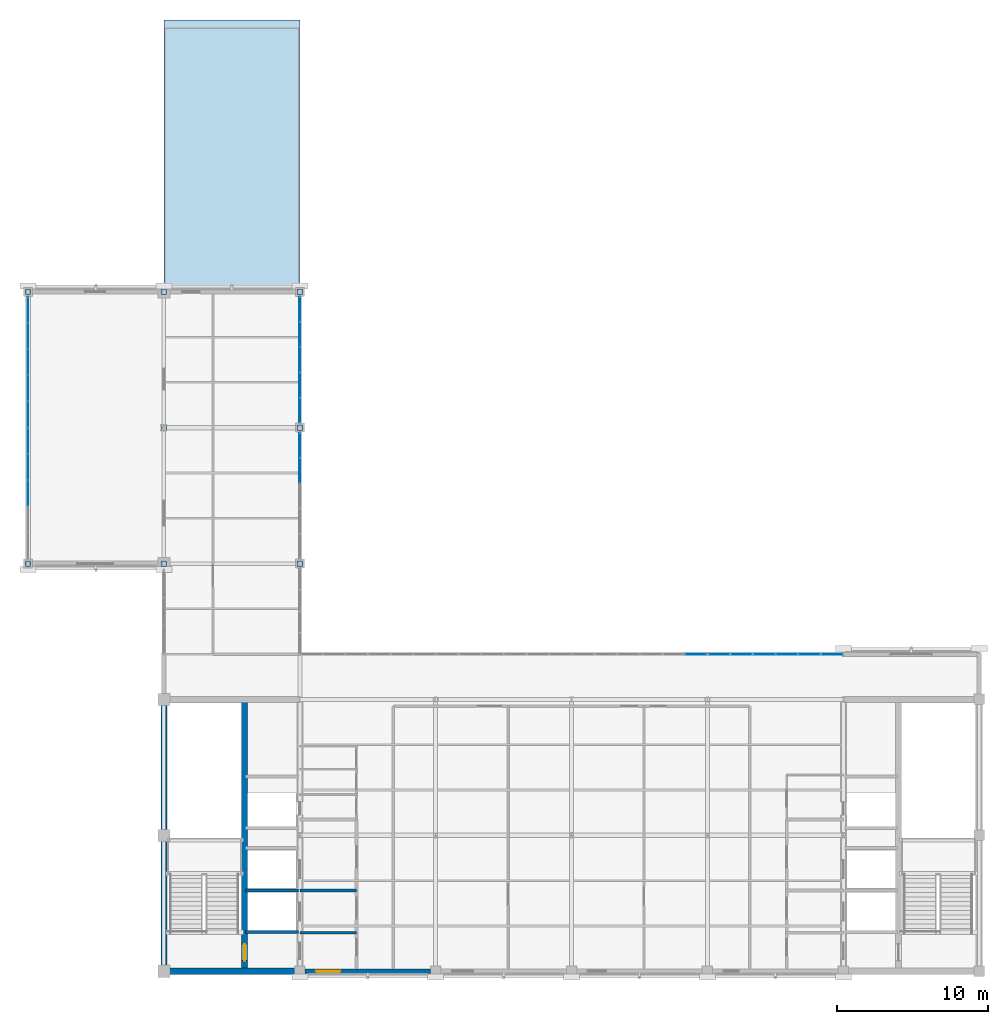
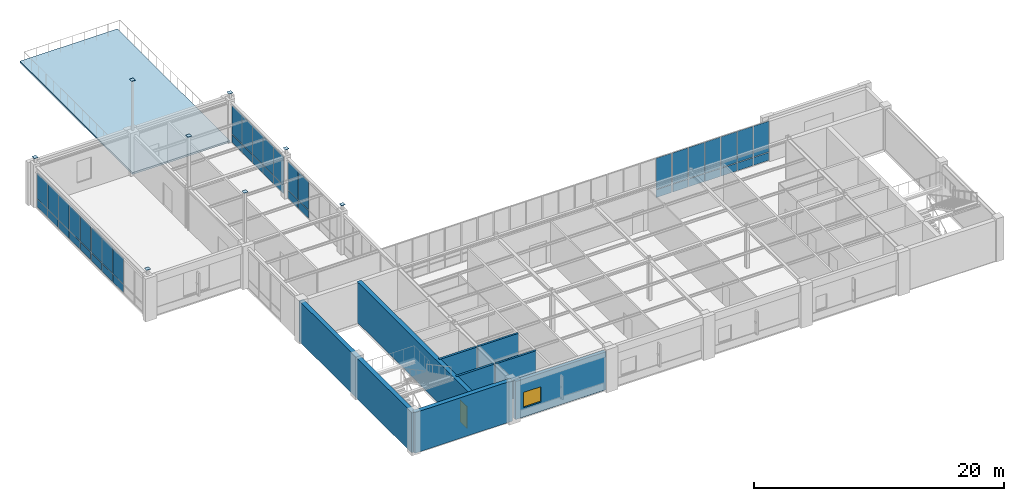
# One storey, part 29 of 36: 52 plates, 8 walls, 1 door, 1 slab, 1 window, 2 openings, 6 elements without a shape of their own.
"""IFC4 building model written with IfcOpenShell, lengths in metres."""

import ifcopenshell
import ifcopenshell.guid

model = None  # the IFC model being written
_history = None  # IfcOwnerHistory: only IFC2X3 demands one
_inside = {}  # id of a spatial element -> (the spatial element, [elements in it])
_under = {}  # id of a project, library or spatial element -> (it, [spatial elements below it])
_declared = {}  # id of a project -> (the project, [libraries it declares])
_typed = {}  # id of a type object -> (the type object, [elements of that type])
_made_of = {}  # id of a material, layer set ... -> (it, [elements and type objects made of it])


def new_model(schema):
    """Start an empty IFC model of exactly this schema.

    Asked for "IFC4X3", IfcOpenShell would pick the latest addendum, in which some entities
    have other attributes; the version numbers below select the first issue.
    IFC2X3 requires an IfcOwnerHistory on every rooted entity: one is made here for all.
    """
    global model, _history
    if schema == "IFC4X3":
        model = ifcopenshell.file(schema_version=(4, 3, 0, 0))
    else:
        model = ifcopenshell.file(schema=schema)
    _inside.clear()
    _under.clear()
    _declared.clear()
    _typed.clear()
    _made_of.clear()
    _history = None
    if model.schema == "IFC2X3":
        org = make("IfcOrganization", Name="unknown")
        user = make(
            "IfcPersonAndOrganization",
            ThePerson=make("IfcPerson", FamilyName="unknown"),
            TheOrganization=org,
        )
        app = make(
            "IfcApplication",
            ApplicationDeveloper=org,
            Version="unknown",
            ApplicationFullName="unknown",
            ApplicationIdentifier="unknown",
        )
        _history = make(
            "IfcOwnerHistory",
            OwningUser=user,
            OwningApplication=app,
            ChangeAction="ADDED",
            CreationDate=0,
        )
    return model


def make(cls, **values):
    """One entity of the class cls with the attributes given. An attribute that is None is left unset."""
    return model.create_entity(
        cls, **{name: value for name, value in values.items() if value is not None}
    )


def rooted(cls, **values):
    """An entity with a GlobalId (a new one), such as an element, a storey or a relation."""
    return make(cls, GlobalId=ifcopenshell.guid.new(), OwnerHistory=_history, **values)


def si_unit(unit_type, name, prefix=None):
    """IfcSIUnit, for example si_unit("LENGTHUNIT", "METRE", prefix="MILLI")."""
    return make("IfcSIUnit", UnitType=unit_type, Prefix=prefix, Name=name)


def assignment(units):
    """IfcUnitAssignment: the units of a project."""
    return None if units is None else make("IfcUnitAssignment", Units=units)


def point(xyz):
    """IfcCartesianPoint."""
    return None if xyz is None else make("IfcCartesianPoint", Coordinates=xyz)


def direction(xyz):
    """IfcDirection."""
    return None if xyz is None else make("IfcDirection", DirectionRatios=xyz)


def frame(location, z_axis=None, x_axis=None):
    """IfcAxis2Placement3D, a coordinate frame: its origin and axes. An axis left out is left unset."""
    return make(
        "IfcAxis2Placement3D",
        Location=point(location),
        Axis=direction(z_axis),
        RefDirection=direction(x_axis),
    )


def frame_2d(location, x_axis=None):
    """IfcAxis2Placement2D, a coordinate frame in the plane: its origin and x axis."""
    return make(
        "IfcAxis2Placement2D", Location=point(location), RefDirection=direction(x_axis)
    )


def origin():
    """The frame at (0, 0, 0) with its axes left unset."""
    return frame((0.0, 0.0, 0.0))


def origin_2d():
    """The frame at (0, 0) in the plane with its x axis left unset."""
    return frame_2d((0.0, 0.0))


def place(relative_to, where):
    """IfcLocalPlacement: puts the frame where relative to a parent placement (None: the world)."""
    return make(
        "IfcLocalPlacement", PlacementRelTo=relative_to, RelativePlacement=where
    )


def context(
    kind, dimensions, precision=None, world=None, true_north=None, identifier=None
):
    """IfcGeometricRepresentationContext, for example the 3D "Model" context."""
    return make(
        "IfcGeometricRepresentationContext",
        ContextIdentifier=identifier,
        ContextType=kind,
        CoordinateSpaceDimension=dimensions,
        Precision=precision,
        WorldCoordinateSystem=world,
        TrueNorth=true_north,
    )


def subcontext(parent, identifier, kind, view, scale=None):
    """IfcGeometricRepresentationSubContext, for example "Body" below "Model"."""
    return make(
        "IfcGeometricRepresentationSubContext",
        ContextIdentifier=identifier,
        ContextType=kind,
        ParentContext=parent,
        TargetScale=scale,
        TargetView=view,
    )


def project(units=None, contexts=None):
    """IfcProject with its units and contexts."""
    return rooted(
        "IfcProject",
        Name="project",
        RepresentationContexts=contexts,
        UnitsInContext=assignment(units),
    )


def spatial(cls, under=None, at=None, **own):
    """A site, building, storey or space (cls), placed at a placement, below another one or the project."""
    s = rooted(cls, ObjectPlacement=at, **own)
    if under is not None:
        _under.setdefault(under.id(), (under, []))[1].append(s)
    return s


def polyline(points):
    """IfcPolyline through the points."""
    return make("IfcPolyline", Points=[point(p) for p in points])


def profile(cls, at=None, kind="AREA", **sizes):
    """A parametric profile (cls). Its sizes go by their IFC names, for example OverallWidth=200.0."""
    return make(cls, ProfileType=kind, Position=at, **sizes)


def rectangle(**sizes):
    """IfcRectangleProfileDef."""
    return profile("IfcRectangleProfileDef", **sizes)


def outline(outer, holes=None, kind="AREA"):
    """IfcArbitraryClosedProfileDef: a profile drawn as a closed curve; with holes, ...WithVoids."""
    if holes is None:
        return make("IfcArbitraryClosedProfileDef", ProfileType=kind, OuterCurve=outer)
    return make(
        "IfcArbitraryProfileDefWithVoids",
        ProfileType=kind,
        OuterCurve=outer,
        InnerCurves=holes,
    )


def extrude(swept, where, along, depth):
    """IfcExtrudedAreaSolid: the profile swept, set in the frame where, extruded along a direction by depth."""
    return make(
        "IfcExtrudedAreaSolid",
        SweptArea=swept,
        Position=where,
        ExtrudedDirection=direction(along),
        Depth=depth,
    )


def shape(context_of_items, identifier, shape_type, items):
    """IfcShapeRepresentation: the items that make up one representation, for example the "Body"."""
    return make(
        "IfcShapeRepresentation",
        ContextOfItems=context_of_items,
        RepresentationIdentifier=identifier,
        RepresentationType=shape_type,
        Items=items,
    )


def material(Name=None, Category=None):
    """IfcMaterial."""
    return make("IfcMaterial", Name=Name, Category=Category)


def layer(
    of_material, thickness, ventilated=None, Name=None, Category=None, Priority=None
):
    """IfcMaterialLayer: one layer of a wall or slab, of a material (None: an air gap)."""
    return make(
        "IfcMaterialLayer",
        Material=of_material,
        LayerThickness=thickness,
        IsVentilated=ventilated,
        Name=Name,
        Category=Category,
        Priority=Priority,
    )


def layer_set(layers, Name=None):
    """IfcMaterialLayerSet."""
    return make("IfcMaterialLayerSet", MaterialLayers=layers, LayerSetName=Name)


def made_of(thing, what):
    """Note that an element or type object is made of a material, layer set ...; save() writes the relation."""
    if what is not None:
        _made_of.setdefault(what.id(), (what, []))[1].append(thing)
    return thing


def type_object(cls, material=None, **own):
    """A type object (cls), such as IfcWallType, which elements share."""
    return made_of(rooted(cls, **own), material)


def element(
    cls,
    number,
    at=None,
    inside=None,
    cuts=None,
    type_object=None,
    material=None,
    context=None,
    identifier="Body",
    shape_type=None,
    held_by="IfcProductDefinitionShape",
    body=None,
    shapes=None,
    **own,
):
    """One element of the class cls, such as IfcWall. Its Tag is "e" and its number.

    at: its placement. inside: the storey or other place that contains it. cuts: it is an
    opening in that element (IfcRelVoidsElement). A single representation is given by context,
    identifier, shape_type and body (its items); several are given by shapes. held_by: the class
    of the entity that holds the representations. save() writes the other relations.
    """
    e = rooted(cls, Tag="e%d" % number, ObjectPlacement=at, **own)
    if body is not None:
        shapes = [shape(context, identifier, shape_type, body)]
    if shapes is not None:
        e.Representation = make(held_by, Representations=shapes)
    if inside is not None:
        _inside.setdefault(inside.id(), (inside, []))[1].append(e)
    if cuts is not None:
        rooted(
            "IfcRelVoidsElement", RelatingBuildingElement=cuts, RelatedOpeningElement=e
        )
    if type_object is not None:
        _typed.setdefault(type_object.id(), (type_object, []))[1].append(e)
    return made_of(e, material)


def fill(opening, filler):
    """IfcRelFillsElement: the door or window that sits in an opening."""
    return rooted(
        "IfcRelFillsElement",
        RelatingOpeningElement=opening,
        RelatedBuildingElement=filler,
    )


def aggregate(whole, parts):
    """IfcRelAggregates: a whole, such as a stair, and the parts it consists of."""
    return rooted("IfcRelAggregates", RelatingObject=whole, RelatedObjects=parts)


def save(model, path):
    """Write the relations noted so far, then the file.

    IfcRelAggregates (storeys below a building ...), IfcRelContainedInSpatialStructure (elements
    in a storey), IfcRelDefinesByType, IfcRelAssociatesMaterial and IfcRelDeclares: one each for
    every whole, place, type object, material and project.
    """
    for whole, parts in _under.values():
        aggregate(whole, parts)
    for where, things in _inside.values():
        rooted(
            "IfcRelContainedInSpatialStructure",
            RelatedElements=things,
            RelatingStructure=where,
        )
    for kind, things in _typed.values():
        rooted("IfcRelDefinesByType", RelatedObjects=things, RelatingType=kind)
    for what, things in _made_of.values():
        rooted("IfcRelAssociatesMaterial", RelatedObjects=things, RelatingMaterial=what)
    for by, libraries in _declared.values():
        rooted("IfcRelDeclares", RelatingContext=by, RelatedDefinitions=libraries)
    model.write(path)


model = new_model("IFC4")

# Units and contexts
model_context = context("Model", 3, precision=1e-05, world=origin(), true_north=direction((0.0, 1.0)))
body_context = subcontext(model_context, "Body", "Model", "MODEL_VIEW")
ifc_project = project(units=[si_unit("LENGTHUNIT", "METRE"), si_unit("AREAUNIT", "SQUARE_METRE"), si_unit("VOLUMEUNIT", "CUBIC_METRE"), si_unit("PLANEANGLEUNIT", "RADIAN"), si_unit("MASSUNIT", "GRAM", prefix="KILO")], contexts=[model_context])

# Site, building, storey
site_placement = place(None, origin())
site = spatial("IfcSite", under=ifc_project, at=site_placement, CompositionType="ELEMENT")
building_placement = place(site_placement, origin())
building = spatial("IfcBuilding", under=site, at=building_placement, Name="Lykobir Media Centre", CompositionType="ELEMENT")
storey_placement = place(building_placement, frame((0.0, 0.0, 27.60009765625)))
storey = spatial("IfcBuildingStorey", under=building, at=storey_placement, Name="L06", CompositionType="ELEMENT", Elevation=27.60009765625)

# Plates
ifc_material_1 = material(Name="Steel S355", Category="steel")
ifc_layer_1 = layer(ifc_material_1, 0.02001953125, Name="Steel S355")
ifc_layer_set_1 = layer_set([ifc_layer_1], Name="Steel S355")
plate_type_1 = type_object("IfcPlateType", Name="CP-320", PredefinedType="SHEET", material=ifc_layer_set_1)
for number, where, z_axis, x_axis, name in (
    (1, (18.0, 27.0, 4.69140625), (0.0, 0.0, 1.0), (1.0, 0.0, 0.0), "Structural plate PLT-L06-0180-0270-0323"),
    (2, (18.0, 45.0, 4.69140625), (0.0, 0.0, 1.0), (1.0, 0.0, 0.0), "Structural plate PLT-L06-0180-0450-0323"),
    (3, (27.0, 27.0, 9.080810546875), (0.0, 0.0, 1.0), (1.0, 0.0, 0.0), "Structural plate PLT-L06-0270-0270-0367"),
    (4, (27.0, 36.0, 9.080810546875), (0.0, 0.0, 1.0), (1.0, 0.0, 0.0), "Structural plate PLT-L06-0270-0360-0367"),
    (5, (27.0, 45.0, 9.080810546875), (0.0, 0.0, 1.0), (1.0, 0.0, 0.0), "Structural plate PLT-L06-0270-0450-0367"),
    (6, (36.0, 27.0, 4.69140625), (0.0, 0.0, 1.0), (1.0, 0.0, 0.0), "Structural plate PLT-L06-0360-0270-0323"),
    (7, (36.0, 36.0, 4.69140625), (0.0, 0.0, 1.0), (1.0, 0.0, 0.0), "Structural plate PLT-L06-0360-0360-0323"),
    (8, (36.0, 45.0, 4.69140625), (0.0, 0.0, 1.0), (1.0, 0.0, 0.0), "Structural plate PLT-L06-0360-0450-0323"),
):
    element("IfcPlate", number, at=place(storey_placement, frame(where, z_axis=z_axis, x_axis=x_axis)), inside=storey, type_object=plate_type_1, Name=name, PredefinedType="SHEET", context=body_context, shape_type="SweptSolid", body=[
        extrude(rectangle(XDim=0.360107421875, YDim=0.360107421875, at=origin_2d()), origin(), (0.0, 0.0, 1.0), 0.02001953125),
    ])

# Curtain wall, plate
ifc_material_2 = material(Name="Anodized Aluminium AW-6060", Category="aluminium")
curtain_wall_type_1 = type_object("IfcCurtainWallType", Name="CW-COURT-B", PredefinedType="NOTDEFINED", material=ifc_material_2)
curtain_wall_1_placement = place(storey_placement, origin())
curtain_wall_1 = element("IfcCurtainWall", 9, at=curtain_wall_1_placement, inside=storey, type_object=curtain_wall_type_1, Name="Curtain wall CW2-L06-0208", PredefinedType="NOTDEFINED")
ifc_material_3 = material(Name="Low-E Laminated Triple Glazing", Category="glass")
ifc_layer_2 = layer(ifc_material_3, 0.0380859375, Name="Low-E Laminated Triple Glazing")
ifc_layer_set_2 = layer_set([ifc_layer_2], Name="Low-E Laminated Triple Glazing")
plate_type_2 = type_object("IfcPlateType", Name="CWP-GLZ-38", PredefinedType="CURTAIN_PANEL", material=ifc_layer_set_2)
plate_1_placement = place(storey_placement, frame((62.236083984375, 21.0, 0.87744140625), z_axis=(0.0, 0.0, 1.0), x_axis=(1.0, 0.0, 0.0)))
plate_1 = element("IfcPlate", 10, at=plate_1_placement, type_object=plate_type_2, Name="CW2-L06-0208 panel 6.2", PredefinedType="CURTAIN_PANEL", context=body_context, shape_type="SweptSolid", body=[
    extrude(rectangle(XDim=1.41748046875, YDim=0.0380859375, at=origin_2d()), origin(), (0.0, 0.0, 1.0), 3.007568359375),
])

# Curtain wall, plates
curtain_wall_2_placement = place(storey_placement, origin())
curtain_wall_2 = element("IfcCurtainWall", 11, at=curtain_wall_2_placement, inside=storey, type_object=curtain_wall_type_1, Name="Curtain wall CW2-L06-0209", PredefinedType="NOTDEFINED")
plate_2_placement = place(storey_placement, frame((63.763916015625, 21.0, 0.87744140625), z_axis=(0.0, 0.0, 1.0), x_axis=(1.0, 0.0, 0.0)))
plate_2 = element("IfcPlate", 12, at=plate_2_placement, type_object=plate_type_2, Name="CW2-L06-0209 panel 1.2", PredefinedType="CURTAIN_PANEL", context=body_context, shape_type="SweptSolid", body=[
    extrude(rectangle(XDim=1.41748046875, YDim=0.0380859375, at=origin_2d()), origin(), (0.0, 0.0, 1.0), 3.007568359375),
])
plate_3_placement = place(storey_placement, frame((65.25, 21.0, 0.87744140625), z_axis=(0.0, 0.0, 1.0), x_axis=(1.0, 0.0, 0.0)))
plate_3 = element("IfcPlate", 13, at=plate_3_placement, type_object=plate_type_2, Name="CW2-L06-0209 panel 2.2", PredefinedType="CURTAIN_PANEL", context=body_context, shape_type="SweptSolid", body=[
    extrude(rectangle(XDim=1.445068359375, YDim=0.0380859375, at=origin_2d()), origin(), (0.0, 0.0, 1.0), 3.007568359375),
])
plate_4_placement = place(storey_placement, frame((66.75, 21.0, 0.87744140625), z_axis=(0.0, 0.0, 1.0), x_axis=(1.0, 0.0, 0.0)))
plate_4 = element("IfcPlate", 14, at=plate_4_placement, type_object=plate_type_2, Name="CW2-L06-0209 panel 3.2", PredefinedType="CURTAIN_PANEL", context=body_context, shape_type="SweptSolid", body=[
    extrude(rectangle(XDim=1.445068359375, YDim=0.0380859375, at=origin_2d()), origin(), (0.0, 0.0, 1.0), 3.007568359375),
])
plate_5_placement = place(storey_placement, frame((68.25, 21.0, 0.87744140625), z_axis=(0.0, 0.0, 1.0), x_axis=(1.0, 0.0, 0.0)))
plate_5 = element("IfcPlate", 15, at=plate_5_placement, type_object=plate_type_2, Name="CW2-L06-0209 panel 4.2", PredefinedType="CURTAIN_PANEL", context=body_context, shape_type="SweptSolid", body=[
    extrude(rectangle(XDim=1.445068359375, YDim=0.0380859375, at=origin_2d()), origin(), (0.0, 0.0, 1.0), 3.007568359375),
])
plate_6_placement = place(storey_placement, frame((69.75, 21.0, 0.87744140625), z_axis=(0.0, 0.0, 1.0), x_axis=(1.0, 0.0, 0.0)))
plate_6 = element("IfcPlate", 16, at=plate_6_placement, type_object=plate_type_2, Name="CW2-L06-0209 panel 5.2", PredefinedType="CURTAIN_PANEL", context=body_context, shape_type="SweptSolid", body=[
    extrude(rectangle(XDim=1.445068359375, YDim=0.0380859375, at=origin_2d()), origin(), (0.0, 0.0, 1.0), 3.007568359375),
])
plate_7_placement = place(storey_placement, frame((71.236083984375, 21.0, 0.87744140625), z_axis=(0.0, 0.0, 1.0), x_axis=(1.0, 0.0, 0.0)))
plate_7 = element("IfcPlate", 17, at=plate_7_placement, type_object=plate_type_2, Name="CW2-L06-0209 panel 6.2", PredefinedType="CURTAIN_PANEL", context=body_context, shape_type="SweptSolid", body=[
    extrude(rectangle(XDim=1.41748046875, YDim=0.0380859375, at=origin_2d()), origin(), (0.0, 0.0, 1.0), 3.007568359375),
])

curtain_wall_3_placement = place(storey_placement, origin())
curtain_wall_3 = element("IfcCurtainWall", 18, at=curtain_wall_3_placement, inside=storey, type_object=curtain_wall_type_1, Name="Curtain wall CW2-L06-0211", PredefinedType="NOTDEFINED")
plate_8_placement = place(storey_placement, frame((36.0, 34.84228515625, 0.87744140625), z_axis=(0.0, 0.0, 1.0), x_axis=(0.0, -1.0, 0.0)))
plate_8 = element("IfcPlate", 19, at=plate_8_placement, type_object=plate_type_2, Name="CW2-L06-0211 panel 1.2", PredefinedType="CURTAIN_PANEL", context=body_context, shape_type="SweptSolid", body=[
    extrude(rectangle(XDim=1.595458984375, YDim=0.0380859375, at=origin_2d()), origin(), (0.0, 0.0, 1.0), 2.760498046875),
])
plate_9_placement = place(storey_placement, frame((36.0, 33.177978515625, 0.87744140625), z_axis=(0.0, 0.0, 1.0), x_axis=(0.0, -1.0, 0.0)))
plate_9 = element("IfcPlate", 20, at=plate_9_placement, type_object=plate_type_2, Name="CW2-L06-0211 panel 2.2", PredefinedType="CURTAIN_PANEL", context=body_context, shape_type="SweptSolid", body=[
    extrude(rectangle(XDim=1.623046875, YDim=0.0380859375, at=origin_2d()), origin(), (0.0, 0.0, 1.0), 2.760498046875),
])

curtain_wall_4_placement = place(storey_placement, origin())
curtain_wall_4 = element("IfcCurtainWall", 21, at=curtain_wall_4_placement, inside=storey, type_object=curtain_wall_type_1, Name="Curtain wall CW2-L06-0212", PredefinedType="NOTDEFINED")
plate_10_placement = place(storey_placement, frame((36.0, 43.84228515625, 0.87744140625), z_axis=(0.0, 0.0, 1.0), x_axis=(0.0, -1.0, 0.0)))
plate_10 = element("IfcPlate", 22, at=plate_10_placement, type_object=plate_type_2, Name="CW2-L06-0212 panel 1.2", PredefinedType="CURTAIN_PANEL", context=body_context, shape_type="SweptSolid", body=[
    extrude(rectangle(XDim=1.595458984375, YDim=0.0380859375, at=origin_2d()), origin(), (0.0, 0.0, 1.0), 2.782470703125),
])
plate_11_placement = place(storey_placement, frame((36.0, 42.177978515625, 0.87744140625), z_axis=(0.0, 0.0, 1.0), x_axis=(0.0, -1.0, 0.0)))
plate_11 = element("IfcPlate", 23, at=plate_11_placement, type_object=plate_type_2, Name="CW2-L06-0212 panel 2.2", PredefinedType="CURTAIN_PANEL", context=body_context, shape_type="SweptSolid", body=[
    extrude(rectangle(XDim=1.623046875, YDim=0.0380859375, at=origin_2d()), origin(), (0.0, 0.0, 1.0), 2.782470703125),
])
plate_12_placement = place(storey_placement, frame((36.0, 40.5, 0.87744140625), z_axis=(0.0, 0.0, 1.0), x_axis=(0.0, -1.0, 0.0)))
plate_12 = element("IfcPlate", 24, at=plate_12_placement, type_object=plate_type_2, Name="CW2-L06-0212 panel 3.2", PredefinedType="CURTAIN_PANEL", context=body_context, shape_type="SweptSolid", body=[
    extrude(rectangle(XDim=1.623046875, YDim=0.0380859375, at=origin_2d()), origin(), (0.0, 0.0, 1.0), 2.782470703125),
])
plate_13_placement = place(storey_placement, frame((36.0, 38.822021484375, 0.87744140625), z_axis=(0.0, 0.0, 1.0), x_axis=(0.0, -1.0, 0.0)))
plate_13 = element("IfcPlate", 25, at=plate_13_placement, type_object=plate_type_2, Name="CW2-L06-0212 panel 4.2", PredefinedType="CURTAIN_PANEL", context=body_context, shape_type="SweptSolid", body=[
    extrude(rectangle(XDim=1.623046875, YDim=0.0380859375, at=origin_2d()), origin(), (0.0, 0.0, 1.0), 2.782470703125),
])
plate_14_placement = place(storey_placement, frame((36.0, 37.15771484375, 0.87744140625), z_axis=(0.0, 0.0, 1.0), x_axis=(0.0, -1.0, 0.0)))
plate_14 = element("IfcPlate", 26, at=plate_14_placement, type_object=plate_type_2, Name="CW2-L06-0212 panel 5.2", PredefinedType="CURTAIN_PANEL", context=body_context, shape_type="SweptSolid", body=[
    extrude(rectangle(XDim=1.595458984375, YDim=0.0380859375, at=origin_2d()), origin(), (0.0, 0.0, 1.0), 2.782470703125),
])

curtain_wall_type_2 = type_object("IfcCurtainWallType", Name="CW-PAV-V3", PredefinedType="NOTDEFINED", material=ifc_material_2)
curtain_wall_5_placement = place(storey_placement, origin())
curtain_wall_5 = element("IfcCurtainWall", 27, at=curtain_wall_5_placement, inside=storey, type_object=curtain_wall_type_2, Name="Curtain wall CW2-L06-0213", PredefinedType="NOTDEFINED")
plate_15_placement = place(storey_placement, frame((18.0, 31.652587890625, 0.8798828125), z_axis=(0.0, 0.0, 1.0), x_axis=(0.0, 1.0, 0.0)))
plate_15 = element("IfcPlate", 28, at=plate_15_placement, type_object=plate_type_2, Name="CW2-L06-0213 panel 3.2", PredefinedType="CURTAIN_PANEL", context=body_context, shape_type="SweptSolid", body=[
    extrude(rectangle(XDim=1.678955078125, YDim=0.0380859375, at=origin_2d()), origin(), (0.0, 0.0, 1.0), 2.47509765625),
])
plate_16_placement = place(storey_placement, frame((18.0, 33.3916015625, 0.8798828125), z_axis=(0.0, 0.0, 1.0), x_axis=(0.0, 1.0, 0.0)))
plate_16 = element("IfcPlate", 29, at=plate_16_placement, type_object=plate_type_2, Name="CW2-L06-0213 panel 4.2", PredefinedType="CURTAIN_PANEL", context=body_context, shape_type="SweptSolid", body=[
    extrude(rectangle(XDim=1.678955078125, YDim=0.0380859375, at=origin_2d()), origin(), (0.0, 0.0, 1.0), 2.47509765625),
])
plate_17_placement = place(storey_placement, frame((18.0, 35.115478515625, 0.8798828125), z_axis=(0.0, 0.0, 1.0), x_axis=(0.0, 1.0, 0.0)))
plate_17 = element("IfcPlate", 30, at=plate_17_placement, type_object=plate_type_2, Name="CW2-L06-0213 panel 5.2", PredefinedType="CURTAIN_PANEL", context=body_context, shape_type="SweptSolid", body=[
    extrude(rectangle(XDim=1.64892578125, YDim=0.0380859375, at=origin_2d()), origin(), (0.0, 0.0, 1.0), 2.47509765625),
])

curtain_wall_6_placement = place(storey_placement, origin())
curtain_wall_6 = element("IfcCurtainWall", 31, at=curtain_wall_6_placement, inside=storey, type_object=curtain_wall_type_2, Name="Curtain wall CW2-L06-0214", PredefinedType="NOTDEFINED")
plate_18_placement = place(storey_placement, frame((18.0, 36.884521484375, 0.8798828125), z_axis=(0.0, 0.0, 1.0), x_axis=(0.0, 1.0, 0.0)))
plate_18 = element("IfcPlate", 32, at=plate_18_placement, type_object=plate_type_2, Name="CW2-L06-0214 panel 1.2", PredefinedType="CURTAIN_PANEL", context=body_context, shape_type="SweptSolid", body=[
    extrude(rectangle(XDim=1.64892578125, YDim=0.0380859375, at=origin_2d()), origin(), (0.0, 0.0, 1.0), 2.47509765625),
])
plate_19_placement = place(storey_placement, frame((18.0, 38.6083984375, 0.8798828125), z_axis=(0.0, 0.0, 1.0), x_axis=(0.0, 1.0, 0.0)))
plate_19 = element("IfcPlate", 33, at=plate_19_placement, type_object=plate_type_2, Name="CW2-L06-0214 panel 2.2", PredefinedType="CURTAIN_PANEL", context=body_context, shape_type="SweptSolid", body=[
    extrude(rectangle(XDim=1.678955078125, YDim=0.0380859375, at=origin_2d()), origin(), (0.0, 0.0, 1.0), 2.47509765625),
])
plate_20_placement = place(storey_placement, frame((18.0, 40.347412109375, 0.8798828125), z_axis=(0.0, 0.0, 1.0), x_axis=(0.0, 1.0, 0.0)))
plate_20 = element("IfcPlate", 34, at=plate_20_placement, type_object=plate_type_2, Name="CW2-L06-0214 panel 3.2", PredefinedType="CURTAIN_PANEL", context=body_context, shape_type="SweptSolid", body=[
    extrude(rectangle(XDim=1.678955078125, YDim=0.0380859375, at=origin_2d()), origin(), (0.0, 0.0, 1.0), 2.47509765625),
])
plate_21_placement = place(storey_placement, frame((18.0, 42.08642578125, 0.8798828125), z_axis=(0.0, 0.0, 1.0), x_axis=(0.0, 1.0, 0.0)))
plate_21 = element("IfcPlate", 35, at=plate_21_placement, type_object=plate_type_2, Name="CW2-L06-0214 panel 4.2", PredefinedType="CURTAIN_PANEL", context=body_context, shape_type="SweptSolid", body=[
    extrude(rectangle(XDim=1.678955078125, YDim=0.0380859375, at=origin_2d()), origin(), (0.0, 0.0, 1.0), 2.47509765625),
])
plate_22_placement = place(storey_placement, frame((18.0, 43.810546875, 0.8798828125), z_axis=(0.0, 0.0, 1.0), x_axis=(0.0, 1.0, 0.0)))
plate_22 = element("IfcPlate", 36, at=plate_22_placement, type_object=plate_type_2, Name="CW2-L06-0214 panel 5.2", PredefinedType="CURTAIN_PANEL", context=body_context, shape_type="SweptSolid", body=[
    extrude(rectangle(XDim=1.64892578125, YDim=0.0380859375, at=origin_2d()), origin(), (0.0, 0.0, 1.0), 2.47509765625),
])

# Plate
ifc_material_4 = material(Name="Pre-Weathered Titanium-Zinc", Category="metal")
ifc_layer_3 = layer(ifc_material_4, 0.052001953125, Name="Pre-Weathered Titanium-Zinc")
ifc_layer_set_3 = layer_set([ifc_layer_3], Name="Pre-Weathered Titanium-Zinc")
plate_type_3 = type_object("IfcPlateType", Name="CWP-SPN-52", PredefinedType="CURTAIN_PANEL", material=ifc_layer_set_3)
plate_23_placement = place(storey_placement, frame((62.236083984375, 21.0, 0.054931640625), z_axis=(0.0, 0.0, 1.0), x_axis=(1.0, 0.0, 0.0)))
plate_23 = element("IfcPlate", 37, at=plate_23_placement, type_object=plate_type_3, Name="CW2-L06-0208 panel 6.1", PredefinedType="CURTAIN_PANEL", context=body_context, shape_type="SweptSolid", body=[
    extrude(rectangle(XDim=1.41748046875, YDim=0.052001953125, at=origin_2d()), origin(), (0.0, 0.0, 1.0), 0.767578125),
])

aggregate(curtain_wall_1, [plate_23, plate_1])

plate_24_placement = place(storey_placement, frame((63.763916015625, 21.0, 0.054931640625), z_axis=(0.0, 0.0, 1.0), x_axis=(1.0, 0.0, 0.0)))
plate_24 = element("IfcPlate", 38, at=plate_24_placement, type_object=plate_type_3, Name="CW2-L06-0209 panel 1.1", PredefinedType="CURTAIN_PANEL", context=body_context, shape_type="SweptSolid", body=[
    extrude(rectangle(XDim=1.41748046875, YDim=0.052001953125, at=origin_2d()), origin(), (0.0, 0.0, 1.0), 0.767578125),
])

plate_25_placement = place(storey_placement, frame((65.25, 21.0, 0.054931640625), z_axis=(0.0, 0.0, 1.0), x_axis=(1.0, 0.0, 0.0)))
plate_25 = element("IfcPlate", 39, at=plate_25_placement, type_object=plate_type_3, Name="CW2-L06-0209 panel 2.1", PredefinedType="CURTAIN_PANEL", context=body_context, shape_type="SweptSolid", body=[
    extrude(rectangle(XDim=1.445068359375, YDim=0.052001953125, at=origin_2d()), origin(), (0.0, 0.0, 1.0), 0.767578125),
])

plate_26_placement = place(storey_placement, frame((66.75, 21.0, 0.054931640625), z_axis=(0.0, 0.0, 1.0), x_axis=(1.0, 0.0, 0.0)))
plate_26 = element("IfcPlate", 40, at=plate_26_placement, type_object=plate_type_3, Name="CW2-L06-0209 panel 3.1", PredefinedType="CURTAIN_PANEL", context=body_context, shape_type="SweptSolid", body=[
    extrude(rectangle(XDim=1.445068359375, YDim=0.052001953125, at=origin_2d()), origin(), (0.0, 0.0, 1.0), 0.767578125),
])

plate_27_placement = place(storey_placement, frame((68.25, 21.0, 0.054931640625), z_axis=(0.0, 0.0, 1.0), x_axis=(1.0, 0.0, 0.0)))
plate_27 = element("IfcPlate", 41, at=plate_27_placement, type_object=plate_type_3, Name="CW2-L06-0209 panel 4.1", PredefinedType="CURTAIN_PANEL", context=body_context, shape_type="SweptSolid", body=[
    extrude(rectangle(XDim=1.445068359375, YDim=0.052001953125, at=origin_2d()), origin(), (0.0, 0.0, 1.0), 0.767578125),
])

plate_28_placement = place(storey_placement, frame((69.75, 21.0, 0.054931640625), z_axis=(0.0, 0.0, 1.0), x_axis=(1.0, 0.0, 0.0)))
plate_28 = element("IfcPlate", 42, at=plate_28_placement, type_object=plate_type_3, Name="CW2-L06-0209 panel 5.1", PredefinedType="CURTAIN_PANEL", context=body_context, shape_type="SweptSolid", body=[
    extrude(rectangle(XDim=1.445068359375, YDim=0.052001953125, at=origin_2d()), origin(), (0.0, 0.0, 1.0), 0.767578125),
])

plate_29_placement = place(storey_placement, frame((71.236083984375, 21.0, 0.054931640625), z_axis=(0.0, 0.0, 1.0), x_axis=(1.0, 0.0, 0.0)))
plate_29 = element("IfcPlate", 43, at=plate_29_placement, type_object=plate_type_3, Name="CW2-L06-0209 panel 6.1", PredefinedType="CURTAIN_PANEL", context=body_context, shape_type="SweptSolid", body=[
    extrude(rectangle(XDim=1.41748046875, YDim=0.052001953125, at=origin_2d()), origin(), (0.0, 0.0, 1.0), 0.767578125),
])

aggregate(curtain_wall_2, [plate_24, plate_2, plate_25, plate_3, plate_26, plate_4, plate_27, plate_5, plate_28, plate_6, plate_29, plate_7])

plate_30_placement = place(storey_placement, frame((36.0, 34.84228515625, 0.054931640625), z_axis=(0.0, 0.0, 1.0), x_axis=(0.0, -1.0, 0.0)))
plate_30 = element("IfcPlate", 44, at=plate_30_placement, type_object=plate_type_3, Name="CW2-L06-0211 panel 1.1", PredefinedType="CURTAIN_PANEL", context=body_context, shape_type="SweptSolid", body=[
    extrude(rectangle(XDim=1.595458984375, YDim=0.052001953125, at=origin_2d()), origin(), (0.0, 0.0, 1.0), 0.767578125),
])

plate_31_placement = place(storey_placement, frame((36.0, 33.177978515625, 0.054931640625), z_axis=(0.0, 0.0, 1.0), x_axis=(0.0, -1.0, 0.0)))
plate_31 = element("IfcPlate", 45, at=plate_31_placement, type_object=plate_type_3, Name="CW2-L06-0211 panel 2.1", PredefinedType="CURTAIN_PANEL", context=body_context, shape_type="SweptSolid", body=[
    extrude(rectangle(XDim=1.623046875, YDim=0.052001953125, at=origin_2d()), origin(), (0.0, 0.0, 1.0), 0.767578125),
])

aggregate(curtain_wall_3, [plate_30, plate_8, plate_31, plate_9])

plate_32_placement = place(storey_placement, frame((36.0, 43.84228515625, 0.054931640625), z_axis=(0.0, 0.0, 1.0), x_axis=(0.0, -1.0, 0.0)))
plate_32 = element("IfcPlate", 46, at=plate_32_placement, type_object=plate_type_3, Name="CW2-L06-0212 panel 1.1", PredefinedType="CURTAIN_PANEL", context=body_context, shape_type="SweptSolid", body=[
    extrude(rectangle(XDim=1.595458984375, YDim=0.052001953125, at=origin_2d()), origin(), (0.0, 0.0, 1.0), 0.767578125),
])

plate_33_placement = place(storey_placement, frame((36.0, 42.177978515625, 0.054931640625), z_axis=(0.0, 0.0, 1.0), x_axis=(0.0, -1.0, 0.0)))
plate_33 = element("IfcPlate", 47, at=plate_33_placement, type_object=plate_type_3, Name="CW2-L06-0212 panel 2.1", PredefinedType="CURTAIN_PANEL", context=body_context, shape_type="SweptSolid", body=[
    extrude(rectangle(XDim=1.623046875, YDim=0.052001953125, at=origin_2d()), origin(), (0.0, 0.0, 1.0), 0.767578125),
])

plate_34_placement = place(storey_placement, frame((36.0, 40.5, 0.054931640625), z_axis=(0.0, 0.0, 1.0), x_axis=(0.0, -1.0, 0.0)))
plate_34 = element("IfcPlate", 48, at=plate_34_placement, type_object=plate_type_3, Name="CW2-L06-0212 panel 3.1", PredefinedType="CURTAIN_PANEL", context=body_context, shape_type="SweptSolid", body=[
    extrude(rectangle(XDim=1.623046875, YDim=0.052001953125, at=origin_2d()), origin(), (0.0, 0.0, 1.0), 0.767578125),
])

plate_35_placement = place(storey_placement, frame((36.0, 38.822021484375, 0.054931640625), z_axis=(0.0, 0.0, 1.0), x_axis=(0.0, -1.0, 0.0)))
plate_35 = element("IfcPlate", 49, at=plate_35_placement, type_object=plate_type_3, Name="CW2-L06-0212 panel 4.1", PredefinedType="CURTAIN_PANEL", context=body_context, shape_type="SweptSolid", body=[
    extrude(rectangle(XDim=1.623046875, YDim=0.052001953125, at=origin_2d()), origin(), (0.0, 0.0, 1.0), 0.767578125),
])

plate_36_placement = place(storey_placement, frame((36.0, 37.15771484375, 0.054931640625), z_axis=(0.0, 0.0, 1.0), x_axis=(0.0, -1.0, 0.0)))
plate_36 = element("IfcPlate", 50, at=plate_36_placement, type_object=plate_type_3, Name="CW2-L06-0212 panel 5.1", PredefinedType="CURTAIN_PANEL", context=body_context, shape_type="SweptSolid", body=[
    extrude(rectangle(XDim=1.595458984375, YDim=0.052001953125, at=origin_2d()), origin(), (0.0, 0.0, 1.0), 0.767578125),
])

aggregate(curtain_wall_4, [plate_32, plate_10, plate_33, plate_11, plate_34, plate_12, plate_35, plate_13, plate_36, plate_14])

plate_37_placement = place(storey_placement, frame((18.0, 31.652587890625, 0.059814453125), z_axis=(0.0, 0.0, 1.0), x_axis=(0.0, 1.0, 0.0)))
plate_37 = element("IfcPlate", 51, at=plate_37_placement, type_object=plate_type_3, Name="CW2-L06-0213 panel 3.1", PredefinedType="CURTAIN_PANEL", context=body_context, shape_type="SweptSolid", body=[
    extrude(rectangle(XDim=1.678955078125, YDim=0.052001953125, at=origin_2d()), origin(), (0.0, 0.0, 1.0), 0.760009765625),
])

plate_38_placement = place(storey_placement, frame((18.0, 33.3916015625, 0.059814453125), z_axis=(0.0, 0.0, 1.0), x_axis=(0.0, 1.0, 0.0)))
plate_38 = element("IfcPlate", 52, at=plate_38_placement, type_object=plate_type_3, Name="CW2-L06-0213 panel 4.1", PredefinedType="CURTAIN_PANEL", context=body_context, shape_type="SweptSolid", body=[
    extrude(rectangle(XDim=1.678955078125, YDim=0.052001953125, at=origin_2d()), origin(), (0.0, 0.0, 1.0), 0.760009765625),
])

plate_39_placement = place(storey_placement, frame((18.0, 35.115478515625, 0.059814453125), z_axis=(0.0, 0.0, 1.0), x_axis=(0.0, 1.0, 0.0)))
plate_39 = element("IfcPlate", 53, at=plate_39_placement, type_object=plate_type_3, Name="CW2-L06-0213 panel 5.1", PredefinedType="CURTAIN_PANEL", context=body_context, shape_type="SweptSolid", body=[
    extrude(rectangle(XDim=1.64892578125, YDim=0.052001953125, at=origin_2d()), origin(), (0.0, 0.0, 1.0), 0.760009765625),
])

aggregate(curtain_wall_5, [plate_37, plate_15, plate_38, plate_16, plate_39, plate_17])

plate_40_placement = place(storey_placement, frame((18.0, 36.884521484375, 0.059814453125), z_axis=(0.0, 0.0, 1.0), x_axis=(0.0, 1.0, 0.0)))
plate_40 = element("IfcPlate", 54, at=plate_40_placement, type_object=plate_type_3, Name="CW2-L06-0214 panel 1.1", PredefinedType="CURTAIN_PANEL", context=body_context, shape_type="SweptSolid", body=[
    extrude(rectangle(XDim=1.64892578125, YDim=0.052001953125, at=origin_2d()), origin(), (0.0, 0.0, 1.0), 0.760009765625),
])

plate_41_placement = place(storey_placement, frame((18.0, 38.6083984375, 0.059814453125), z_axis=(0.0, 0.0, 1.0), x_axis=(0.0, 1.0, 0.0)))
plate_41 = element("IfcPlate", 55, at=plate_41_placement, type_object=plate_type_3, Name="CW2-L06-0214 panel 2.1", PredefinedType="CURTAIN_PANEL", context=body_context, shape_type="SweptSolid", body=[
    extrude(rectangle(XDim=1.678955078125, YDim=0.052001953125, at=origin_2d()), origin(), (0.0, 0.0, 1.0), 0.760009765625),
])

plate_42_placement = place(storey_placement, frame((18.0, 40.347412109375, 0.059814453125), z_axis=(0.0, 0.0, 1.0), x_axis=(0.0, 1.0, 0.0)))
plate_42 = element("IfcPlate", 56, at=plate_42_placement, type_object=plate_type_3, Name="CW2-L06-0214 panel 3.1", PredefinedType="CURTAIN_PANEL", context=body_context, shape_type="SweptSolid", body=[
    extrude(rectangle(XDim=1.678955078125, YDim=0.052001953125, at=origin_2d()), origin(), (0.0, 0.0, 1.0), 0.760009765625),
])

plate_43_placement = place(storey_placement, frame((18.0, 42.08642578125, 0.059814453125), z_axis=(0.0, 0.0, 1.0), x_axis=(0.0, 1.0, 0.0)))
plate_43 = element("IfcPlate", 57, at=plate_43_placement, type_object=plate_type_3, Name="CW2-L06-0214 panel 4.1", PredefinedType="CURTAIN_PANEL", context=body_context, shape_type="SweptSolid", body=[
    extrude(rectangle(XDim=1.678955078125, YDim=0.052001953125, at=origin_2d()), origin(), (0.0, 0.0, 1.0), 0.760009765625),
])

plate_44_placement = place(storey_placement, frame((18.0, 43.810546875, 0.059814453125), z_axis=(0.0, 0.0, 1.0), x_axis=(0.0, 1.0, 0.0)))
plate_44 = element("IfcPlate", 58, at=plate_44_placement, type_object=plate_type_3, Name="CW2-L06-0214 panel 5.1", PredefinedType="CURTAIN_PANEL", context=body_context, shape_type="SweptSolid", body=[
    extrude(rectangle(XDim=1.64892578125, YDim=0.052001953125, at=origin_2d()), origin(), (0.0, 0.0, 1.0), 0.760009765625),
])

aggregate(curtain_wall_6, [plate_40, plate_18, plate_41, plate_19, plate_42, plate_20, plate_43, plate_21, plate_44, plate_22])

# Slab
ifc_material_5 = material(Name="Concrete C35/45", Category="concrete")
ifc_layer_4 = layer(ifc_material_5, 0.179931640625, Name="Concrete C35/45")
ifc_layer_set_4 = layer_set([ifc_layer_4], Name="Concrete C35/45")
slab_type = type_object("IfcSlabType", Name="TS-180", PredefinedType="FLOOR", material=ifc_layer_set_4)
slab_placement = place(storey_placement, frame((0.0, 0.0, -0.18017578125)))
element("IfcSlab", 59, at=slab_placement, inside=storey, type_object=slab_type, Name="L06 South Wing Roof Garden", PredefinedType="FLOOR", context=body_context, shape_type="SweptSolid", body=[
    extrude(outline(polyline([(36.0, 45.0), (36.0, 63.0), (27.0, 63.0), (27.0, 45.0), (36.0, 45.0)])), origin(), (0.0, 0.0, 1.0), 0.18017578125),
])

# Wall, opening, window
ifc_material_6 = material(Name="Glazed Turquoise Terracotta", Category="masonry")
ifc_layer_5 = layer(ifc_material_6, 0.31005859375, Name="Glazed Turquoise Terracotta")
ifc_layer_set_5 = layer_set([ifc_layer_5], Name="Glazed Turquoise Terracotta")
wall_type_1 = type_object("IfcWallType", Name="EW-TER-310", PredefinedType="STANDARD", material=ifc_layer_set_5)
wall_1_placement = place(storey_placement, frame((36.3349609375, 0.0, 0.0), z_axis=(0.0, 0.0, 1.0), x_axis=(1.0, 0.0, 0.0)))
wall_1 = element("IfcWall", 60, at=wall_1_placement, inside=storey, type_object=wall_type_1, Name="Exterior wall WALL-L06-0350", PredefinedType="STANDARD", context=body_context, shape_type="SweptSolid", body=[
    extrude(rectangle(XDim=8.330078125, YDim=0.31005859375, at=frame_2d((4.1650390625, 0.0))), origin(), (0.0, 0.0, 1.0), 3.71484375),
])
opening_1_placement = place(wall_1_placement, frame((0.75, 0.0, 0.89990234375)))
opening_1 = element("IfcOpeningElement", 61, at=opening_1_placement, cuts=wall_1, Name="Opening WN-1600x1500", PredefinedType="OPENING", context=body_context, shape_type="SweptSolid", body=[
    extrude(rectangle(XDim=1.60009765625, YDim=1.5, at=frame_2d((0.800048828125, 0.75))), frame((0.0, 0.1650390625, 0.0), z_axis=(0.0, -1.0, 0.0), x_axis=(1.0, 0.0, 0.0)), (0.0, 0.0, 1.0), 0.330078125),
])
window_type = type_object("IfcWindowType", Name="WN-1600x1500", PartitioningType="SINGLE_PANEL", PredefinedType="WINDOW", material=ifc_material_3)
window_placement = place(opening_1_placement, origin())
window = element("IfcWindow", 62, at=window_placement, inside=storey, type_object=window_type, Name="Window WIN-L06-0156", OverallHeight=1.5, OverallWidth=1.60009765625, PartitioningType="SINGLE_PANEL", PredefinedType="WINDOW", context=body_context, shape_type="SweptSolid", body=[
    extrude(rectangle(XDim=1.60009765625, YDim=1.5, at=frame_2d((0.800048828125, 0.75))), frame((0.0, 0.030029296875, 0.0), z_axis=(0.0, -1.0, 0.0), x_axis=(1.0, 0.0, 0.0)), (0.0, 0.0, 1.0), 0.06005859375),
])
fill(opening_1, window)

# Walls
ifc_material_7 = material(Name="Acoustic Gypsum Board", Category="gypsum")
ifc_layer_6 = layer(ifc_material_7, 0.179931640625, Name="Acoustic Gypsum Board")
ifc_layer_set_6 = layer_set([ifc_layer_6], Name="Acoustic Gypsum Board")
wall_type_2 = type_object("IfcWallType", Name="IW-FFLOB-180", PredefinedType="PARTITIONING", material=ifc_layer_set_6)
for number, where, z_axis, x_axis, name in (
    (63, (36.0, 2.550048828125, 0.0), (0.0, 0.0, 1.0), (1.0, 0.0, 0.0), "Wall IWALL-L06-0138"),
    (64, (36.0, 5.35009765625, 0.0), (0.0, 0.0, 1.0), (1.0, 0.0, 0.0), "Wall IWALL-L06-0139"),
):
    element("IfcWall", number, at=place(storey_placement, frame(where, z_axis=z_axis, x_axis=x_axis)), inside=storey, type_object=wall_type_2, Name=name, PredefinedType="PARTITIONING", context=body_context, shape_type="SweptSolid", body=[
        extrude(rectangle(XDim=3.75, YDim=0.179931640625, at=frame_2d((1.875, 0.0))), origin(), (0.0, 0.0, 1.0), 3.9599609375),
    ])
ifc_material_8 = material(Name="Concrete C30/37", Category="concrete")
ifc_layer_7 = layer(ifc_material_8, 0.199951171875, Name="Concrete C30/37")
ifc_layer_set_7 = layer_set([ifc_layer_7], Name="Concrete C30/37")
wall_type_3 = type_object("IfcWallType", Name="IW-SHAFT-200", PredefinedType="PARTITIONING", material=ifc_layer_set_7)
for number, where, z_axis, x_axis, name in (
    (65, (32.39990234375, 2.60009765625, 0.0), (0.0, 0.0, 1.0), (1.0, 0.0, 0.0), "Wall IWALL-L06-0132"),
    (66, (32.39990234375, 5.35009765625, 0.0), (0.0, 0.0, 1.0), (1.0, 0.0, 0.0), "Wall IWALL-L06-0133"),
):
    element("IfcWall", number, at=place(storey_placement, frame(where, z_axis=z_axis, x_axis=x_axis)), inside=storey, type_object=wall_type_3, Name=name, PredefinedType="PARTITIONING", context=body_context, shape_type="SweptSolid", body=[
        extrude(rectangle(XDim=3.5, YDim=0.199951171875, at=frame_2d((1.75, 0.0))), origin(), (0.0, 0.0, 1.0), 3.9599609375),
    ])

# Wall, opening, door
ifc_material_9 = material(Name="Concrete C40/50", Category="concrete")
ifc_layer_8 = layer(ifc_material_9, 0.39990234375, Name="Concrete C40/50")
ifc_layer_set_8 = layer_set([ifc_layer_8], Name="Concrete C40/50")
wall_type_4 = type_object("IfcWallType", Name="SW-CORE-400", PredefinedType="SHEAR", material=ifc_layer_set_8)
wall_2_placement = place(storey_placement, frame((32.35009765625, 0.0, 0.0), z_axis=(0.0, 0.0, 1.0), x_axis=(0.0, 1.0, 0.0)))
wall_2 = element("IfcWall", 67, at=wall_2_placement, inside=storey, type_object=wall_type_4, Name="Wall IWALL-L06-0131", PredefinedType="SHEAR", context=body_context, shape_type="SweptSolid", body=[
    extrude(rectangle(XDim=18.0, YDim=0.39990234375, at=frame_2d((9.0, 0.0))), origin(), (0.0, 0.0, 1.0), 3.9599609375),
])
opening_2_placement = place(wall_2_placement, frame((0.699951171875, 0.0, 0.0)))
opening_2 = element("IfcOpeningElement", 68, at=opening_2_placement, cuts=wall_2, Name="Opening D-L06-C1ST", PredefinedType="OPENING", context=body_context, shape_type="SweptSolid", body=[
    extrude(rectangle(XDim=1.10009765625, YDim=2.159912109375, at=frame_2d((0.550048828125, 1.080078125))), frame((0.0, 0.2099609375, 0.0), z_axis=(0.0, -1.0, 0.0), x_axis=(1.0, 0.0, 0.0)), (0.0, 0.0, 1.0), 0.419921875),
])
ifc_material_10 = material(Name="Acoustic Timber Panelling", Category="wood")
door_type = type_object("IfcDoorType", Name="FD-1100x2160", OperationType="NOTDEFINED", PredefinedType="DOOR", material=ifc_material_10)
door_placement = place(opening_2_placement, frame((1.10009765625, 0.0, 0.0), z_axis=(0.0, 0.0, 1.0), x_axis=(-1.0, 0.0, 0.0)))
door = element("IfcDoor", 69, at=door_placement, inside=storey, type_object=door_type, Name="L06 ST-1 stairwell fire door", OperationType="SINGLE_SWING_RIGHT", OverallHeight=2.159912109375, OverallWidth=1.10009765625, PredefinedType="DOOR", context=body_context, shape_type="SweptSolid", body=[
    extrude(rectangle(XDim=1.10009765625, YDim=2.159912109375, at=frame_2d((0.550048828125, 1.080078125))), frame((0.0, 0.02490234375, 0.0), z_axis=(0.0, -1.0, 0.0), x_axis=(1.0, 0.0, 0.0)), (0.0, 0.0, 1.0), 0.050048828125),
])
fill(opening_2, door)

# Walls
ifc_layer_9 = layer(ifc_material_9, 0.39990234375, Name="Concrete C40/50")
ifc_layer_set_9 = layer_set([ifc_layer_9], Name="Concrete C40/50")
wall_type_5 = type_object("IfcWallType", Name="SW-CORE-400-E", PredefinedType="SHEAR", material=ifc_layer_set_9)
wall_3_placement = place(storey_placement, frame((27.0, 0.0, 0.0), z_axis=(0.0, 0.0, 1.0), x_axis=(1.0, 0.0, 0.0)))
element("IfcWall", 70, at=wall_3_placement, inside=storey, type_object=wall_type_5, Name="Wall IWALL-L06-0127", PredefinedType="SHEAR", context=body_context, shape_type="SweptSolid", body=[
    extrude(rectangle(XDim=9.0, YDim=0.39990234375, at=frame_2d((4.5, 0.0))), origin(), (0.0, 0.0, 1.0), 3.9599609375),
])
wall_4_placement = place(storey_placement, frame((27.0, 18.0, 0.0), z_axis=(0.0, 0.0, 1.0), x_axis=(0.0, -1.0, 0.0)))
element("IfcWall", 71, at=wall_4_placement, inside=storey, type_object=wall_type_5, Name="Wall IWALL-L06-0130", PredefinedType="SHEAR", context=body_context, shape_type="SweptSolid", body=[
    extrude(rectangle(XDim=18.0, YDim=0.39990234375, at=frame_2d((9.0, 0.0))), origin(), (0.0, 0.0, 1.0), 3.9599609375),
])

save(model, "model.ifc")
